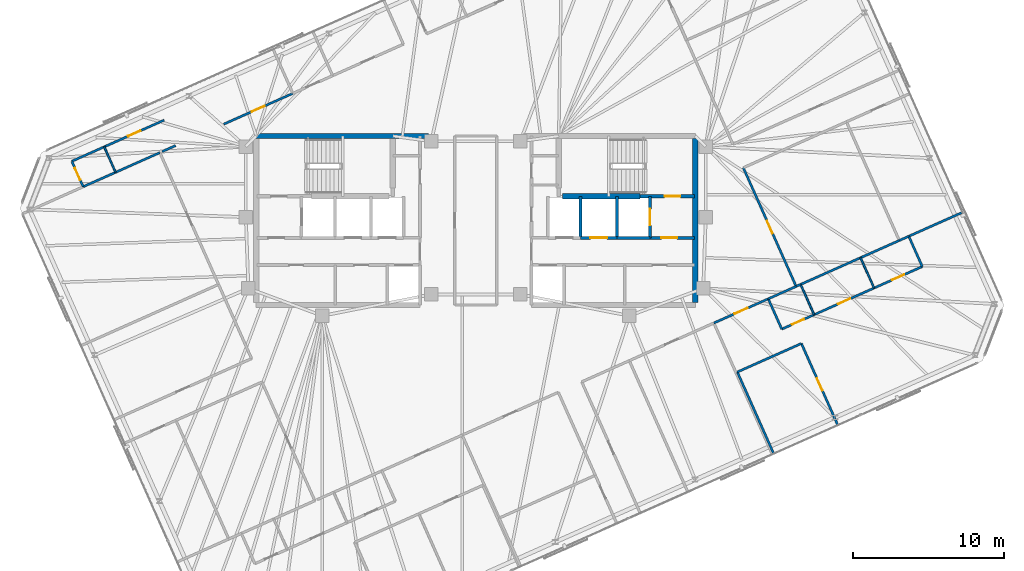
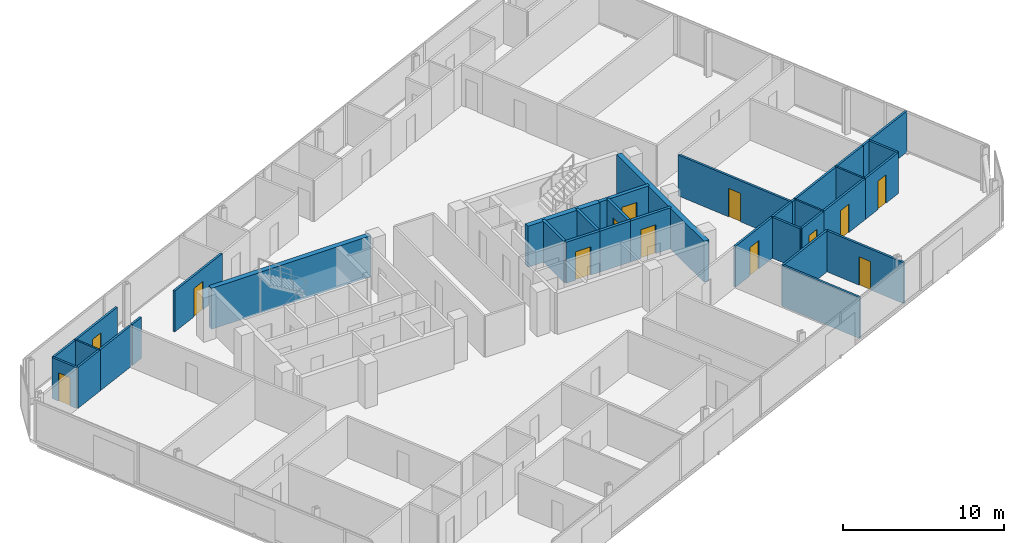
# One storey, part 15 of 18: 36 walls, 13 doors, 13 openings.
"""IFC4 building model written with IfcOpenShell, lengths in metres."""

import ifcopenshell
import ifcopenshell.guid

model = None  # the IFC model being written
_history = None  # IfcOwnerHistory: only IFC2X3 demands one
_inside = {}  # id of a spatial element -> (the spatial element, [elements in it])
_under = {}  # id of a project, library or spatial element -> (it, [spatial elements below it])
_declared = {}  # id of a project -> (the project, [libraries it declares])
_typed = {}  # id of a type object -> (the type object, [elements of that type])
_made_of = {}  # id of a material, layer set ... -> (it, [elements and type objects made of it])


def new_model(schema):
    """Start an empty IFC model of exactly this schema.

    Asked for "IFC4X3", IfcOpenShell would pick the latest addendum, in which some entities
    have other attributes; the version numbers below select the first issue.
    IFC2X3 requires an IfcOwnerHistory on every rooted entity: one is made here for all.
    """
    global model, _history
    if schema == "IFC4X3":
        model = ifcopenshell.file(schema_version=(4, 3, 0, 0))
    else:
        model = ifcopenshell.file(schema=schema)
    _inside.clear()
    _under.clear()
    _declared.clear()
    _typed.clear()
    _made_of.clear()
    _history = None
    if model.schema == "IFC2X3":
        org = make("IfcOrganization", Name="unknown")
        user = make(
            "IfcPersonAndOrganization",
            ThePerson=make("IfcPerson", FamilyName="unknown"),
            TheOrganization=org,
        )
        app = make(
            "IfcApplication",
            ApplicationDeveloper=org,
            Version="unknown",
            ApplicationFullName="unknown",
            ApplicationIdentifier="unknown",
        )
        _history = make(
            "IfcOwnerHistory",
            OwningUser=user,
            OwningApplication=app,
            ChangeAction="ADDED",
            CreationDate=0,
        )
    return model


def make(cls, **values):
    """One entity of the class cls with the attributes given. An attribute that is None is left unset."""
    return model.create_entity(
        cls, **{name: value for name, value in values.items() if value is not None}
    )


def rooted(cls, **values):
    """An entity with a GlobalId (a new one), such as an element, a storey or a relation."""
    return make(cls, GlobalId=ifcopenshell.guid.new(), OwnerHistory=_history, **values)


def si_unit(unit_type, name, prefix=None):
    """IfcSIUnit, for example si_unit("LENGTHUNIT", "METRE", prefix="MILLI")."""
    return make("IfcSIUnit", UnitType=unit_type, Prefix=prefix, Name=name)


def assignment(units):
    """IfcUnitAssignment: the units of a project."""
    return None if units is None else make("IfcUnitAssignment", Units=units)


def point(xyz):
    """IfcCartesianPoint."""
    return None if xyz is None else make("IfcCartesianPoint", Coordinates=xyz)


def direction(xyz):
    """IfcDirection."""
    return None if xyz is None else make("IfcDirection", DirectionRatios=xyz)


def frame(location, z_axis=None, x_axis=None):
    """IfcAxis2Placement3D, a coordinate frame: its origin and axes. An axis left out is left unset."""
    return make(
        "IfcAxis2Placement3D",
        Location=point(location),
        Axis=direction(z_axis),
        RefDirection=direction(x_axis),
    )


def frame_2d(location, x_axis=None):
    """IfcAxis2Placement2D, a coordinate frame in the plane: its origin and x axis."""
    return make(
        "IfcAxis2Placement2D", Location=point(location), RefDirection=direction(x_axis)
    )


def origin():
    """The frame at (0, 0, 0) with its axes left unset."""
    return frame((0.0, 0.0, 0.0))


def place(relative_to, where):
    """IfcLocalPlacement: puts the frame where relative to a parent placement (None: the world)."""
    return make(
        "IfcLocalPlacement", PlacementRelTo=relative_to, RelativePlacement=where
    )


def context(
    kind, dimensions, precision=None, world=None, true_north=None, identifier=None
):
    """IfcGeometricRepresentationContext, for example the 3D "Model" context."""
    return make(
        "IfcGeometricRepresentationContext",
        ContextIdentifier=identifier,
        ContextType=kind,
        CoordinateSpaceDimension=dimensions,
        Precision=precision,
        WorldCoordinateSystem=world,
        TrueNorth=true_north,
    )


def subcontext(parent, identifier, kind, view, scale=None):
    """IfcGeometricRepresentationSubContext, for example "Body" below "Model"."""
    return make(
        "IfcGeometricRepresentationSubContext",
        ContextIdentifier=identifier,
        ContextType=kind,
        ParentContext=parent,
        TargetScale=scale,
        TargetView=view,
    )


def project(units=None, contexts=None):
    """IfcProject with its units and contexts."""
    return rooted(
        "IfcProject",
        Name="project",
        RepresentationContexts=contexts,
        UnitsInContext=assignment(units),
    )


def spatial(cls, under=None, at=None, **own):
    """A site, building, storey or space (cls), placed at a placement, below another one or the project."""
    s = rooted(cls, ObjectPlacement=at, **own)
    if under is not None:
        _under.setdefault(under.id(), (under, []))[1].append(s)
    return s


def profile(cls, at=None, kind="AREA", **sizes):
    """A parametric profile (cls). Its sizes go by their IFC names, for example OverallWidth=200.0."""
    return make(cls, ProfileType=kind, Position=at, **sizes)


def rectangle(**sizes):
    """IfcRectangleProfileDef."""
    return profile("IfcRectangleProfileDef", **sizes)


def extrude(swept, where, along, depth):
    """IfcExtrudedAreaSolid: the profile swept, set in the frame where, extruded along a direction by depth."""
    return make(
        "IfcExtrudedAreaSolid",
        SweptArea=swept,
        Position=where,
        ExtrudedDirection=direction(along),
        Depth=depth,
    )


def shape(context_of_items, identifier, shape_type, items):
    """IfcShapeRepresentation: the items that make up one representation, for example the "Body"."""
    return make(
        "IfcShapeRepresentation",
        ContextOfItems=context_of_items,
        RepresentationIdentifier=identifier,
        RepresentationType=shape_type,
        Items=items,
    )


def material(Name=None, Category=None):
    """IfcMaterial."""
    return make("IfcMaterial", Name=Name, Category=Category)


def layer(
    of_material, thickness, ventilated=None, Name=None, Category=None, Priority=None
):
    """IfcMaterialLayer: one layer of a wall or slab, of a material (None: an air gap)."""
    return make(
        "IfcMaterialLayer",
        Material=of_material,
        LayerThickness=thickness,
        IsVentilated=ventilated,
        Name=Name,
        Category=Category,
        Priority=Priority,
    )


def layer_set(layers, Name=None):
    """IfcMaterialLayerSet."""
    return make("IfcMaterialLayerSet", MaterialLayers=layers, LayerSetName=Name)


def made_of(thing, what):
    """Note that an element or type object is made of a material, layer set ...; save() writes the relation."""
    if what is not None:
        _made_of.setdefault(what.id(), (what, []))[1].append(thing)
    return thing


def type_object(cls, material=None, **own):
    """A type object (cls), such as IfcWallType, which elements share."""
    return made_of(rooted(cls, **own), material)


def element(
    cls,
    number,
    at=None,
    inside=None,
    cuts=None,
    type_object=None,
    material=None,
    context=None,
    identifier="Body",
    shape_type=None,
    held_by="IfcProductDefinitionShape",
    body=None,
    shapes=None,
    **own,
):
    """One element of the class cls, such as IfcWall. Its Tag is "e" and its number.

    at: its placement. inside: the storey or other place that contains it. cuts: it is an
    opening in that element (IfcRelVoidsElement). A single representation is given by context,
    identifier, shape_type and body (its items); several are given by shapes. held_by: the class
    of the entity that holds the representations. save() writes the other relations.
    """
    e = rooted(cls, Tag="e%d" % number, ObjectPlacement=at, **own)
    if body is not None:
        shapes = [shape(context, identifier, shape_type, body)]
    if shapes is not None:
        e.Representation = make(held_by, Representations=shapes)
    if inside is not None:
        _inside.setdefault(inside.id(), (inside, []))[1].append(e)
    if cuts is not None:
        rooted(
            "IfcRelVoidsElement", RelatingBuildingElement=cuts, RelatedOpeningElement=e
        )
    if type_object is not None:
        _typed.setdefault(type_object.id(), (type_object, []))[1].append(e)
    return made_of(e, material)


def fill(opening, filler):
    """IfcRelFillsElement: the door or window that sits in an opening."""
    return rooted(
        "IfcRelFillsElement",
        RelatingOpeningElement=opening,
        RelatedBuildingElement=filler,
    )


def aggregate(whole, parts):
    """IfcRelAggregates: a whole, such as a stair, and the parts it consists of."""
    return rooted("IfcRelAggregates", RelatingObject=whole, RelatedObjects=parts)


def save(model, path):
    """Write the relations noted so far, then the file.

    IfcRelAggregates (storeys below a building ...), IfcRelContainedInSpatialStructure (elements
    in a storey), IfcRelDefinesByType, IfcRelAssociatesMaterial and IfcRelDeclares: one each for
    every whole, place, type object, material and project.
    """
    for whole, parts in _under.values():
        aggregate(whole, parts)
    for where, things in _inside.values():
        rooted(
            "IfcRelContainedInSpatialStructure",
            RelatedElements=things,
            RelatingStructure=where,
        )
    for kind, things in _typed.values():
        rooted("IfcRelDefinesByType", RelatedObjects=things, RelatingType=kind)
    for what, things in _made_of.values():
        rooted("IfcRelAssociatesMaterial", RelatedObjects=things, RelatingMaterial=what)
    for by, libraries in _declared.values():
        rooted("IfcRelDeclares", RelatingContext=by, RelatedDefinitions=libraries)
    model.write(path)


model = new_model("IFC4")

# Units and contexts
model_context = context("Model", 3, precision=1e-05, world=origin(), true_north=direction((0.0, 1.0)))
body_context = subcontext(model_context, "Body", "Model", "MODEL_VIEW")
ifc_project = project(units=[si_unit("LENGTHUNIT", "METRE"), si_unit("AREAUNIT", "SQUARE_METRE"), si_unit("VOLUMEUNIT", "CUBIC_METRE"), si_unit("PLANEANGLEUNIT", "RADIAN"), si_unit("MASSUNIT", "GRAM", prefix="KILO")], contexts=[model_context])

# Site, building, storey
site_placement = place(None, origin())
site = spatial("IfcSite", under=ifc_project, at=site_placement, CompositionType="ELEMENT")
building_placement = place(site_placement, origin())
building = spatial("IfcBuilding", under=site, at=building_placement, Name="Menara Jurai Vektor", CompositionType="ELEMENT")
storey_placement = place(building_placement, frame((0.0, 0.0, 272.25)))
storey = spatial("IfcBuildingStorey", under=building, at=storey_placement, Name="L73", CompositionType="ELEMENT", Elevation=272.25)

# Wall, opening, door
ifc_material_1 = material(Name="Concrete C40/50", Category="concrete")
ifc_layer_1 = layer(ifc_material_1, 0.25)
ifc_layer_set_1 = layer_set([ifc_layer_1], Name="Concrete C40/50")
wall_type_1 = type_object("IfcWallType", Name="INT-WALL-CORE-250", PredefinedType="STANDARD", material=ifc_layer_set_1)
wall_1_placement = place(storey_placement, frame((10.89990234375, 1.60009765625, 0.0), z_axis=(0.0, 0.0, 1.0), x_axis=(1.0, 0.0, 0.0)))
wall_1 = element("IfcWall", 1, at=wall_1_placement, inside=storey, type_object=wall_type_1, Name="Interior Wall IW-250 L73", PredefinedType="STANDARD", context=body_context, shape_type="SweptSolid", body=[
    extrude(rectangle(XDim=3.60009765625, YDim=0.25, at=frame_2d((1.800048828125, 0.0))), origin(), (0.0, 0.0, 1.0), 3.10009765625),
])
opening_1_placement = place(wall_1_placement, frame((1.6201171875, 0.0, 0.0)))
opening_1 = element("IfcOpeningElement", 2, at=opening_1_placement, cuts=wall_1, Name="Opening D-L73-ST2", PredefinedType="OPENING", context=body_context, shape_type="SweptSolid", body=[
    extrude(rectangle(XDim=1.050048828125, YDim=2.14990234375, at=frame_2d((0.52490234375, 1.074951171875))), frame((0.0, 0.135009765625, 0.0), z_axis=(0.0, -1.0, 0.0), x_axis=(1.0, 0.0, 0.0)), (0.0, 0.0, 1.0), 0.27001953125),
])
ifc_material_2 = material(Name="Fire-Rated Steel Door", Category="steel")
door_type_1 = type_object("IfcDoorType", Name="DR-STAIR-1050", OperationType="NOTDEFINED", PredefinedType="DOOR", material=ifc_material_2)
door_1_placement = place(opening_1_placement, origin())
door_1 = element("IfcDoor", 3, at=door_1_placement, inside=storey, type_object=door_type_1, Name="Exit Stair ST2 Door L73", OperationType="SINGLE_SWING_LEFT", OverallHeight=2.14990234375, OverallWidth=1.050048828125, PredefinedType="DOOR", context=body_context, shape_type="SweptSolid", body=[
    extrude(rectangle(XDim=1.050048828125, YDim=2.14990234375, at=frame_2d((0.52490234375, 1.074951171875))), frame((0.0, 0.02490234375, 0.0), z_axis=(0.0, -1.0, 0.0), x_axis=(1.0, 0.0, 0.0)), (0.0, 0.0, 1.0), 0.050048828125),
])
fill(opening_1, door_1)

wall_2_placement = place(storey_placement, frame((11.550048828125, -1.14990234375, 0.0), z_axis=(0.0, 0.0, 1.0), x_axis=(0.0, 1.0, 0.0)))
wall_2 = element("IfcWall", 4, at=wall_2_placement, inside=storey, type_object=wall_type_1, Name="Interior Wall IW-250 L73", PredefinedType="STANDARD", context=body_context, shape_type="SweptSolid", body=[
    extrude(rectangle(XDim=2.75, YDim=0.199951171875, at=frame_2d((1.375, 0.0))), origin(), (0.0, 0.0, 1.0), 3.10009765625),
])
opening_2_placement = place(wall_2_placement, frame((0.824951171875, 0.0, 0.0)))
opening_2 = element("IfcOpeningElement", 5, at=opening_2_placement, cuts=wall_2, Name="Opening LD-L73-FL2", PredefinedType="OPENING", context=body_context, shape_type="SweptSolid", body=[
    extrude(rectangle(XDim=1.10009765625, YDim=2.14990234375, at=frame_2d((0.550048828125, 1.074951171875))), frame((0.0, 0.10986328125, 0.0), z_axis=(0.0, -1.0, 0.0), x_axis=(1.0, 0.0, 0.0)), (0.0, 0.0, 1.0), 0.219970703125),
])
ifc_material_3 = material(Name="Stainless Steel Sliding Lift Landing Door", Category="steel")
door_type_2 = type_object("IfcDoorType", Name="DR-LIFT-FIRE-1100", OperationType="NOTDEFINED", PredefinedType="DOOR", material=ifc_material_3)
door_2_placement = place(opening_2_placement, origin())
door_2 = element("IfcDoor", 6, at=door_2_placement, inside=storey, type_object=door_type_2, Name="Lift Landing Door FL2 L73", OperationType="SLIDING_TO_RIGHT", OverallHeight=2.14990234375, OverallWidth=1.10009765625, PredefinedType="DOOR", context=body_context, shape_type="SweptSolid", body=[
    extrude(rectangle(XDim=1.10009765625, YDim=2.14990234375, at=frame_2d((0.550048828125, 1.074951171875))), frame((0.0, 0.02490234375, 0.0), z_axis=(0.0, -1.0, 0.0), x_axis=(1.0, 0.0, 0.0)), (0.0, 0.0, 1.0), 0.050048828125),
])
fill(opening_2, door_2)

# Wall
wall_3_placement = place(storey_placement, frame((9.35009765625, -1.14990234375, 0.0), z_axis=(0.0, 0.0, 1.0), x_axis=(0.0, 1.0, 0.0)))
element("IfcWall", 7, at=wall_3_placement, inside=storey, type_object=wall_type_1, Name="Interior Wall IW-250 L73", PredefinedType="STANDARD", context=body_context, shape_type="SweptSolid", body=[
    extrude(rectangle(XDim=2.75, YDim=0.199951171875, at=frame_2d((1.375, 0.0))), origin(), (0.0, 0.0, 1.0), 3.10009765625),
])

# Wall, opening, door
wall_4_placement = place(storey_placement, frame((11.550048828125, -1.14990234375, 0.0), z_axis=(0.0, 0.0, 1.0), x_axis=(1.0, 0.0, 0.0)))
wall_4 = element("IfcWall", 8, at=wall_4_placement, inside=storey, type_object=wall_type_1, Name="Interior Wall IW-250 L73", PredefinedType="STANDARD", context=body_context, shape_type="SweptSolid", body=[
    extrude(rectangle(XDim=2.949951171875, YDim=0.199951171875, at=frame_2d((1.47509765625, 0.0))), origin(), (0.0, 0.0, 1.0), 3.10009765625),
])
opening_3_placement = place(wall_4_placement, frame((0.75, 0.0, 0.0)))
opening_3 = element("IfcOpeningElement", 9, at=opening_3_placement, cuts=wall_4, Name="Opening D-L73-FFE", PredefinedType="OPENING", context=body_context, shape_type="SweptSolid", body=[
    extrude(rectangle(XDim=1.050048828125, YDim=2.179931640625, at=frame_2d((0.52490234375, 1.08984375))), frame((0.0, 0.10986328125, 0.0), z_axis=(0.0, -1.0, 0.0), x_axis=(1.0, 0.0, 0.0)), (0.0, 0.0, 1.0), 0.219970703125),
])
ifc_material_4 = material(Name="Fire-Rated Timber Door", Category="wood")
door_type_3 = type_object("IfcDoorType", Name="DR-LOBBY-1050", OperationType="NOTDEFINED", PredefinedType="DOOR", material=ifc_material_4)
door_3_placement = place(opening_3_placement, origin())
door_3 = element("IfcDoor", 10, at=door_3_placement, inside=storey, type_object=door_type_3, Name="Fire Lift Lobby Door E L73", OperationType="SINGLE_SWING_LEFT", OverallHeight=2.179931640625, OverallWidth=1.050048828125, PredefinedType="DOOR", context=body_context, shape_type="SweptSolid", body=[
    extrude(rectangle(XDim=1.050048828125, YDim=2.179931640625, at=frame_2d((0.52490234375, 1.08984375))), frame((0.0, 0.02490234375, 0.0), z_axis=(0.0, -1.0, 0.0), x_axis=(1.0, 0.0, 0.0)), (0.0, 0.0, 1.0), 0.050048828125),
])
fill(opening_3, door_3)

# Wall
wall_5_placement = place(storey_placement, frame((9.35009765625, -1.14990234375, 0.0), z_axis=(0.0, 0.0, 1.0), x_axis=(1.0, 0.0, 0.0)))
element("IfcWall", 11, at=wall_5_placement, inside=storey, type_object=wall_type_1, Name="Interior Wall IW-250 L73", PredefinedType="STANDARD", context=body_context, shape_type="SweptSolid", body=[
    extrude(rectangle(XDim=2.199951171875, YDim=0.199951171875, at=frame_2d((1.10009765625, 0.0))), origin(), (0.0, 0.0, 1.0), 3.10009765625),
])

# Wall, opening, door
ifc_material_5 = material(Name="Gypsum Fireboard Partition", Category="gypsum")
ifc_layer_2 = layer(ifc_material_5, 0.14990234375)
ifc_layer_set_2 = layer_set([ifc_layer_2], Name="Gypsum Fireboard Partition")
wall_type_2 = type_object("IfcWallType", Name="INT-WALL-CORR-150", PredefinedType="PARTITIONING", material=ifc_layer_set_2)
wall_6_placement = place(storey_placement, frame((-16.715576171875, 6.38671875, 0.0), z_axis=(0.0, 0.0, 1.0), x_axis=(0.913548379071, 0.406730081378, 0.0)))
wall_6 = element("IfcWall", 12, at=wall_6_placement, inside=storey, type_object=wall_type_2, Name="Interior Wall IW-150 L73", PredefinedType="PARTITIONING", context=body_context, shape_type="SweptSolid", body=[
    extrude(rectangle(XDim=5.01513671875, YDim=0.14990234375, at=frame_2d((2.507568359375, 0.0))), origin(), (0.0, 0.0, 1.0), 3.10009765625),
])
opening_4_placement = place(wall_6_placement, frame((2.032470703125, 0.0, 0.0)))
opening_4 = element("IfcOpeningElement", 13, at=opening_4_placement, cuts=wall_6, Name="Opening D73-09", PredefinedType="OPENING", context=body_context, shape_type="SweptSolid", body=[
    extrude(rectangle(XDim=0.949951171875, YDim=2.14990234375, at=frame_2d((0.47509765625, 1.074951171875))), frame((0.0, 0.0849609375, 0.0), z_axis=(0.0, -1.0, 0.0), x_axis=(1.0, 0.0, 0.0)), (0.0, 0.0, 1.0), 0.169921875),
])
ifc_material_6 = material(Name="Solid Core Timber Fire Door", Category="wood")
door_type_4 = type_object("IfcDoorType", Name="DR-ENTRY-950", OperationType="NOTDEFINED", PredefinedType="DOOR", material=ifc_material_6)
door_4_placement = place(opening_4_placement, origin())
door_4 = element("IfcDoor", 14, at=door_4_placement, inside=storey, type_object=door_type_4, Name="Interior Door D73-09", OperationType="SINGLE_SWING_RIGHT", OverallHeight=2.14990234375, OverallWidth=0.949951171875, PredefinedType="DOOR", context=body_context, shape_type="SweptSolid", body=[
    extrude(rectangle(XDim=0.949951171875, YDim=2.14990234375, at=frame_2d((0.47509765625, 1.074951171875))), frame((0.0, 0.02490234375, 0.0), z_axis=(0.0, -1.0, 0.0), x_axis=(1.0, 0.0, 0.0)), (0.0, 0.0, 1.0), 0.050048828125),
])
fill(opening_4, door_4)

# Wall
wall_7_placement = place(storey_placement, frame((-20.7998046875, 4.568115234375, 0.0), z_axis=(0.0, 0.0, 1.0), x_axis=(0.91350021443, 0.406838245788, 0.0)))
element("IfcWall", 15, at=wall_7_placement, inside=storey, type_object=wall_type_2, Name="Interior Wall IW-150 L73", PredefinedType="PARTITIONING", context=body_context, shape_type="SweptSolid", body=[
    extrude(rectangle(XDim=0.970947265625, YDim=0.14990234375, at=frame_2d((0.4853515625, 0.0))), origin(), (0.0, 0.0, 1.0), 3.10009765625),
])

# Wall, opening, door
wall_8_placement = place(storey_placement, frame((15.787109375, -6.80029296875, 0.0), z_axis=(0.0, 0.0, 1.0), x_axis=(0.913558844356, 0.406706574693, 0.0)))
wall_8 = element("IfcWall", 16, at=wall_8_placement, inside=storey, type_object=wall_type_2, Name="Interior Wall IW-150 L73", PredefinedType="PARTITIONING", context=body_context, shape_type="SweptSolid", body=[
    extrude(rectangle(XDim=3.94677734375, YDim=0.14990234375, at=frame_2d((1.973388671875, 0.0))), origin(), (0.0, 0.0, 1.0), 3.10009765625),
])
opening_5_placement = place(wall_8_placement, frame((1.49853515625, 0.0, 0.0)))
opening_5 = element("IfcOpeningElement", 17, at=opening_5_placement, cuts=wall_8, Name="Opening D73-21", PredefinedType="OPENING", context=body_context, shape_type="SweptSolid", body=[
    extrude(rectangle(XDim=0.949951171875, YDim=2.14990234375, at=frame_2d((0.47509765625, 1.074951171875))), frame((0.0, 0.0849609375, 0.0), z_axis=(0.0, -1.0, 0.0), x_axis=(1.0, 0.0, 0.0)), (0.0, 0.0, 1.0), 0.169921875),
])
door_5_placement = place(opening_5_placement, origin())
door_5 = element("IfcDoor", 18, at=door_5_placement, inside=storey, type_object=door_type_4, Name="Interior Door D73-21", OperationType="SINGLE_SWING_RIGHT", OverallHeight=2.14990234375, OverallWidth=0.949951171875, PredefinedType="DOOR", context=body_context, shape_type="SweptSolid", body=[
    extrude(rectangle(XDim=0.949951171875, YDim=2.14990234375, at=frame_2d((0.47509765625, 1.074951171875))), frame((0.0, 0.02490234375, 0.0), z_axis=(0.0, -1.0, 0.0), x_axis=(1.0, 0.0, 0.0)), (0.0, 0.0, 1.0), 0.050048828125),
])
fill(opening_5, door_5)

# Wall
wall_9_placement = place(storey_placement, frame((19.392822265625, -5.195068359375, 0.0), z_axis=(0.0, 0.0, 1.0), x_axis=(0.91354290336, 0.406742380039, 0.0)))
element("IfcWall", 19, at=wall_9_placement, inside=storey, type_object=wall_type_2, Name="Interior Wall IW-150 L73", PredefinedType="PARTITIONING", context=body_context, shape_type="SweptSolid", body=[
    extrude(rectangle(XDim=2.025146484375, YDim=0.14990234375, at=frame_2d((1.0126953125, 0.0))), origin(), (0.0, 0.0, 1.0), 3.10009765625),
])

# Wall, opening, door
wall_10_placement = place(storey_placement, frame((21.242919921875, -4.371337890625, 0.0), z_axis=(0.0, 0.0, 1.0), x_axis=(-0.406751025101, 0.913539054217, 0.0)))
wall_10 = element("IfcWall", 20, at=wall_10_placement, inside=storey, type_object=wall_type_2, Name="Interior Wall IW-150 L73", PredefinedType="PARTITIONING", context=body_context, shape_type="SweptSolid", body=[
    extrude(rectangle(XDim=8.614990234375, YDim=0.14990234375, at=frame_2d((4.3076171875, 0.0))), origin(), (0.0, 0.0, 1.0), 3.10009765625),
])
opening_6_placement = place(wall_10_placement, frame((3.847412109375, 0.0, 0.0)))
opening_6 = element("IfcOpeningElement", 21, at=opening_6_placement, cuts=wall_10, Name="Opening D73-38", PredefinedType="OPENING", context=body_context, shape_type="SweptSolid", body=[
    extrude(rectangle(XDim=0.919921875, YDim=2.14990234375, at=frame_2d((0.4599609375, 1.074951171875))), frame((0.0, 0.0849609375, 0.0), z_axis=(0.0, -1.0, 0.0), x_axis=(1.0, 0.0, 0.0)), (0.0, 0.0, 1.0), 0.169921875),
])
door_6_placement = place(opening_6_placement, origin())
door_6 = element("IfcDoor", 22, at=door_6_placement, inside=storey, type_object=door_type_4, Name="Interior Door D73-38", OperationType="SINGLE_SWING_LEFT", OverallHeight=2.14990234375, OverallWidth=0.919921875, PredefinedType="DOOR", context=body_context, shape_type="SweptSolid", body=[
    extrude(rectangle(XDim=0.919921875, YDim=2.14990234375, at=frame_2d((0.4599609375, 1.074951171875))), frame((0.0, 0.02490234375, 0.0), z_axis=(0.0, -1.0, 0.0), x_axis=(1.0, 0.0, 0.0)), (0.0, 0.0, 1.0), 0.050048828125),
])
fill(opening_6, door_6)

wall_11_placement = place(storey_placement, frame((-26.03369140625, 2.238037109375, 0.0), z_axis=(0.0, 0.0, 1.0), x_axis=(-0.406750635596, 0.913539227643, 0.0)))
wall_11 = element("IfcWall", 23, at=wall_11_placement, inside=storey, type_object=wall_type_2, Name="Interior Wall IW-150 L73", PredefinedType="PARTITIONING", context=body_context, shape_type="SweptSolid", body=[
    extrude(rectangle(XDim=1.849853515625, YDim=0.14990234375, at=frame_2d((0.9248046875, 0.0))), origin(), (0.0, 0.0, 1.0), 3.10009765625),
])
opening_7_placement = place(wall_11_placement, frame((0.485107421875, 0.0, 0.0)))
opening_7 = element("IfcOpeningElement", 24, at=opening_7_placement, cuts=wall_11, Name="Opening D73-10", PredefinedType="OPENING", context=body_context, shape_type="SweptSolid", body=[
    extrude(rectangle(XDim=0.8798828125, YDim=2.14990234375, at=frame_2d((0.43994140625, 1.074951171875))), frame((0.0, 0.0849609375, 0.0), z_axis=(0.0, -1.0, 0.0), x_axis=(1.0, 0.0, 0.0)), (0.0, 0.0, 1.0), 0.169921875),
])
ifc_material_7 = material(Name="Moisture-Resistant Timber Door", Category="wood")
door_type_5 = type_object("IfcDoorType", Name="DR-BATH-880", OperationType="NOTDEFINED", PredefinedType="DOOR", material=ifc_material_7)
door_7_placement = place(opening_7_placement, origin())
door_7 = element("IfcDoor", 25, at=door_7_placement, inside=storey, type_object=door_type_5, Name="Interior Door D73-10", OperationType="SINGLE_SWING_LEFT", OverallHeight=2.14990234375, OverallWidth=0.8798828125, PredefinedType="DOOR", context=body_context, shape_type="SweptSolid", body=[
    extrude(rectangle(XDim=0.8798828125, YDim=2.14990234375, at=frame_2d((0.43994140625, 1.074951171875))), frame((0.0, 0.02490234375, 0.0), z_axis=(0.0, -1.0, 0.0), x_axis=(1.0, 0.0, 0.0)), (0.0, 0.0, 1.0), 0.050048828125),
])
fill(opening_7, door_7)

# Wall
wall_12_placement = place(storey_placement, frame((-26.7861328125, 3.927978515625, 0.0), z_axis=(0.0, 0.0, 1.0), x_axis=(0.913541436194, 0.406745675276, 0.0)))
element("IfcWall", 26, at=wall_12_placement, inside=storey, type_object=wall_type_2, Name="Interior Wall IW-150 L73", PredefinedType="PARTITIONING", context=body_context, shape_type="SweptSolid", body=[
    extrude(rectangle(XDim=2.349853515625, YDim=0.14990234375, at=frame_2d((1.1748046875, 0.0))), origin(), (0.0, 0.0, 1.0), 3.10009765625),
])

# Wall, opening, door
wall_13_placement = place(storey_placement, frame((-24.639404296875, 4.8837890625, 0.0), z_axis=(0.0, 0.0, 1.0), x_axis=(0.913533624044, 0.406763220732, 0.0)))
wall_13 = element("IfcWall", 27, at=wall_13_placement, inside=storey, type_object=wall_type_2, Name="Interior Wall IW-150 L73", PredefinedType="PARTITIONING", context=body_context, shape_type="SweptSolid", body=[
    extrude(rectangle(XDim=4.350341796875, YDim=0.14990234375, at=frame_2d((2.17529296875, 0.0))), origin(), (0.0, 0.0, 1.0), 3.10009765625),
])
opening_8_placement = place(wall_13_placement, frame((1.72509765625, 0.0, 0.0)))
opening_8 = element("IfcOpeningElement", 28, at=opening_8_placement, cuts=wall_13, Name="Opening D73-11", PredefinedType="OPENING", context=body_context, shape_type="SweptSolid", body=[
    extrude(rectangle(XDim=0.89990234375, YDim=2.14990234375, at=frame_2d((0.449951171875, 1.074951171875))), frame((0.0, 0.0849609375, 0.0), z_axis=(0.0, -1.0, 0.0), x_axis=(1.0, 0.0, 0.0)), (0.0, 0.0, 1.0), 0.169921875),
])
ifc_material_8 = material(Name="Acoustic Timber Interior Door", Category="wood")
door_type_6 = type_object("IfcDoorType", Name="DR-ROOM-900", OperationType="NOTDEFINED", PredefinedType="DOOR", material=ifc_material_8)
door_8_placement = place(opening_8_placement, origin())
door_8 = element("IfcDoor", 29, at=door_8_placement, inside=storey, type_object=door_type_6, Name="Interior Door D73-11", OperationType="SINGLE_SWING_RIGHT", OverallHeight=2.14990234375, OverallWidth=0.89990234375, PredefinedType="DOOR", context=body_context, shape_type="SweptSolid", body=[
    extrude(rectangle(XDim=0.89990234375, YDim=2.14990234375, at=frame_2d((0.449951171875, 1.074951171875))), frame((0.0, 0.02490234375, 0.0), z_axis=(0.0, -1.0, 0.0), x_axis=(1.0, 0.0, 0.0)), (0.0, 0.0, 1.0), 0.050048828125),
])
fill(opening_8, door_8)

# Walls
wall_14_placement = place(storey_placement, frame((-26.03369140625, 2.238037109375, 0.0), z_axis=(0.0, 0.0, 1.0), x_axis=(0.913558622212, 0.406707073682, 0.0)))
element("IfcWall", 30, at=wall_14_placement, inside=storey, type_object=wall_type_2, Name="Interior Wall IW-150 L73", PredefinedType="PARTITIONING", context=body_context, shape_type="SweptSolid", body=[
    extrude(rectangle(XDim=2.35009765625, YDim=0.14990234375, at=frame_2d((1.175048828125, 0.0))), origin(), (0.0, 0.0, 1.0), 3.10009765625),
])
wall_15_placement = place(storey_placement, frame((-23.88671875, 3.19384765625, 0.0), z_axis=(0.0, 0.0, 1.0), x_axis=(0.913560683434, 0.406702443665, 0.0)))
element("IfcWall", 31, at=wall_15_placement, inside=storey, type_object=wall_type_2, Name="Interior Wall IW-150 L73", PredefinedType="PARTITIONING", context=body_context, shape_type="SweptSolid", body=[
    extrude(rectangle(XDim=3.212646484375, YDim=0.14990234375, at=frame_2d((1.6064453125, 0.0))), origin(), (0.0, 0.0, 1.0), 3.10009765625),
])
wall_16_placement = place(storey_placement, frame((20.287841796875, -7.204833984375, 0.0), z_axis=(0.0, 0.0, 1.0), x_axis=(-0.406817905151, 0.913509273105, 0.0)))
element("IfcWall", 32, at=wall_16_placement, inside=storey, type_object=wall_type_2, Name="Interior Wall IW-150 L73", PredefinedType="PARTITIONING", context=body_context, shape_type="SweptSolid", body=[
    extrude(rectangle(XDim=2.199951171875, YDim=0.14990234375, at=frame_2d((1.10009765625, 0.0))), origin(), (0.0, 0.0, 1.0), 3.10009765625),
])

# Wall, opening, door
wall_17_placement = place(storey_placement, frame((20.287841796875, -7.204833984375, 0.0), z_axis=(0.0, 0.0, 1.0), x_axis=(0.913541436194, 0.406745675276, 0.0)))
wall_17 = element("IfcWall", 33, at=wall_17_placement, inside=storey, type_object=wall_type_2, Name="Interior Wall IW-150 L73", PredefinedType="PARTITIONING", context=body_context, shape_type="SweptSolid", body=[
    extrude(rectangle(XDim=2.349853515625, YDim=0.14990234375, at=frame_2d((1.1748046875, 0.0))), origin(), (0.0, 0.0, 1.0), 3.10009765625),
])
opening_9_placement = place(wall_17_placement, frame((0.735107421875, 0.0, 0.0)))
opening_9 = element("IfcOpeningElement", 34, at=opening_9_placement, cuts=wall_17, Name="Opening D73-22", PredefinedType="OPENING", context=body_context, shape_type="SweptSolid", body=[
    extrude(rectangle(XDim=0.8798828125, YDim=2.14990234375, at=frame_2d((0.43994140625, 1.074951171875))), frame((0.0, 0.0849609375, 0.0), z_axis=(0.0, -1.0, 0.0), x_axis=(1.0, 0.0, 0.0)), (0.0, 0.0, 1.0), 0.169921875),
])
door_9_placement = place(opening_9_placement, origin())
door_9 = element("IfcDoor", 35, at=door_9_placement, inside=storey, type_object=door_type_5, Name="Interior Door D73-22", OperationType="SINGLE_SWING_LEFT", OverallHeight=2.14990234375, OverallWidth=0.8798828125, PredefinedType="DOOR", context=body_context, shape_type="SweptSolid", body=[
    extrude(rectangle(XDim=0.8798828125, YDim=2.14990234375, at=frame_2d((0.43994140625, 1.074951171875))), frame((0.0, 0.02490234375, 0.0), z_axis=(0.0, -1.0, 0.0), x_axis=(1.0, 0.0, 0.0)), (0.0, 0.0, 1.0), 0.050048828125),
])
fill(opening_9, door_9)

wall_18_placement = place(storey_placement, frame((22.4345703125, -6.2490234375, 0.0), z_axis=(0.0, 0.0, 1.0), x_axis=(0.913545193015, 0.406737237438, 0.0)))
wall_18 = element("IfcWall", 36, at=wall_18_placement, inside=storey, type_object=wall_type_2, Name="Interior Wall IW-150 L73", PredefinedType="PARTITIONING", context=body_context, shape_type="SweptSolid", body=[
    extrude(rectangle(XDim=4.349853515625, YDim=0.14990234375, at=frame_2d((2.1748046875, 0.0))), origin(), (0.0, 0.0, 1.0), 3.10009765625),
])
opening_10_placement = place(wall_18_placement, frame((1.72509765625, 0.0, 0.0)))
opening_10 = element("IfcOpeningElement", 37, at=opening_10_placement, cuts=wall_18, Name="Opening D73-23", PredefinedType="OPENING", context=body_context, shape_type="SweptSolid", body=[
    extrude(rectangle(XDim=0.89990234375, YDim=2.14990234375, at=frame_2d((0.449951171875, 1.074951171875))), frame((0.0, 0.0849609375, 0.0), z_axis=(0.0, -1.0, 0.0), x_axis=(1.0, 0.0, 0.0)), (0.0, 0.0, 1.0), 0.169921875),
])
door_10_placement = place(opening_10_placement, origin())
door_10 = element("IfcDoor", 38, at=door_10_placement, inside=storey, type_object=door_type_6, Name="Interior Door D73-23", OperationType="SINGLE_SWING_RIGHT", OverallHeight=2.14990234375, OverallWidth=0.89990234375, PredefinedType="DOOR", context=body_context, shape_type="SweptSolid", body=[
    extrude(rectangle(XDim=0.89990234375, YDim=2.14990234375, at=frame_2d((0.449951171875, 1.074951171875))), frame((0.0, 0.02490234375, 0.0), z_axis=(0.0, -1.0, 0.0), x_axis=(1.0, 0.0, 0.0)), (0.0, 0.0, 1.0), 0.050048828125),
])
fill(opening_10, door_10)

wall_19_placement = place(storey_placement, frame((26.408447265625, -4.479736328125, 0.0), z_axis=(0.0, 0.0, 1.0), x_axis=(0.913549606868, 0.406727323635, 0.0)))
wall_19 = element("IfcWall", 39, at=wall_19_placement, inside=storey, type_object=wall_type_2, Name="Interior Wall IW-150 L73", PredefinedType="PARTITIONING", context=body_context, shape_type="SweptSolid", body=[
    extrude(rectangle(XDim=3.5, YDim=0.14990234375, at=frame_2d((1.75, 0.0))), origin(), (0.0, 0.0, 1.0), 3.10009765625),
])
opening_11_placement = place(wall_19_placement, frame((1.31005859375, 0.0, 0.0)))
opening_11 = element("IfcOpeningElement", 40, at=opening_11_placement, cuts=wall_19, Name="Opening D73-24", PredefinedType="OPENING", context=body_context, shape_type="SweptSolid", body=[
    extrude(rectangle(XDim=0.8798828125, YDim=2.14990234375, at=frame_2d((0.43994140625, 1.074951171875))), frame((0.0, 0.0849609375, 0.0), z_axis=(0.0, -1.0, 0.0), x_axis=(1.0, 0.0, 0.0)), (0.0, 0.0, 1.0), 0.169921875),
])
door_11_placement = place(opening_11_placement, origin())
door_11 = element("IfcDoor", 41, at=door_11_placement, inside=storey, type_object=door_type_5, Name="Interior Door D73-24", OperationType="SINGLE_SWING_LEFT", OverallHeight=2.14990234375, OverallWidth=0.8798828125, PredefinedType="DOOR", context=body_context, shape_type="SweptSolid", body=[
    extrude(rectangle(XDim=0.8798828125, YDim=2.14990234375, at=frame_2d((0.43994140625, 1.074951171875))), frame((0.0, 0.02490234375, 0.0), z_axis=(0.0, -1.0, 0.0), x_axis=(1.0, 0.0, 0.0)), (0.0, 0.0, 1.0), 0.050048828125),
])
fill(opening_11, door_11)

# Walls
wall_20_placement = place(storey_placement, frame((29.60595703125, -3.05615234375, 0.0), z_axis=(0.0, 0.0, 1.0), x_axis=(-0.406725294076, 0.913550510459, 0.0)))
element("IfcWall", 42, at=wall_20_placement, inside=storey, type_object=wall_type_2, Name="Interior Wall IW-150 L73", PredefinedType="PARTITIONING", context=body_context, shape_type="SweptSolid", body=[
    extrude(rectangle(XDim=2.199951171875, YDim=0.14990234375, at=frame_2d((1.10009765625, 0.0))), origin(), (0.0, 0.0, 1.0), 3.10009765625),
])
wall_21_placement = place(storey_placement, frame((19.7568359375, -15.470458984375, 0.0), z_axis=(0.0, 0.0, 1.0), x_axis=(-0.406749048544, 0.913539934271, 0.0)))
element("IfcWall", 43, at=wall_21_placement, inside=storey, type_object=wall_type_2, Name="Interior Wall IW-150 L73", PredefinedType="PARTITIONING", context=body_context, shape_type="SweptSolid", body=[
    extrude(rectangle(XDim=5.93505859375, YDim=0.14990234375, at=frame_2d((2.967529296875, 0.0))), origin(), (0.0, 0.0, 1.0), 3.10009765625),
])
wall_22_placement = place(storey_placement, frame((17.3427734375, -10.048583984375, 0.0), z_axis=(0.0, 0.0, 1.0), x_axis=(0.913525541207, 0.406781373176, 0.0)))
element("IfcWall", 44, at=wall_22_placement, inside=storey, type_object=wall_type_2, Name="Interior Wall IW-150 L73", PredefinedType="PARTITIONING", context=body_context, shape_type="SweptSolid", body=[
    extrude(rectangle(XDim=4.650146484375, YDim=0.14990234375, at=frame_2d((2.3251953125, 0.0))), origin(), (0.0, 0.0, 1.0), 3.10009765625),
])

# Wall, opening, door
wall_23_placement = place(storey_placement, frame((24.0048828125, -13.5791015625, 0.0), z_axis=(0.0, 0.0, 1.0), x_axis=(-0.406733763825, 0.913546739562, 0.0)))
wall_23 = element("IfcWall", 45, at=wall_23_placement, inside=storey, type_object=wall_type_2, Name="Interior Wall IW-150 L73", PredefinedType="PARTITIONING", context=body_context, shape_type="SweptSolid", body=[
    extrude(rectangle(XDim=5.935302734375, YDim=0.14990234375, at=frame_2d((2.9677734375, 0.0))), origin(), (0.0, 0.0, 1.0), 3.10009765625),
])
opening_12_placement = place(wall_23_placement, frame((2.517578125, 0.0, 0.0)))
opening_12 = element("IfcOpeningElement", 46, at=opening_12_placement, cuts=wall_23, Name="Opening D73-25", PredefinedType="OPENING", context=body_context, shape_type="SweptSolid", body=[
    extrude(rectangle(XDim=0.89990234375, YDim=2.14990234375, at=frame_2d((0.449951171875, 1.074951171875))), frame((0.0, 0.0849609375, 0.0), z_axis=(0.0, -1.0, 0.0), x_axis=(1.0, 0.0, 0.0)), (0.0, 0.0, 1.0), 0.169921875),
])
door_12_placement = place(opening_12_placement, origin())
door_12 = element("IfcDoor", 47, at=door_12_placement, inside=storey, type_object=door_type_6, Name="Interior Door D73-25", OperationType="SINGLE_SWING_RIGHT", OverallHeight=2.14990234375, OverallWidth=0.89990234375, PredefinedType="DOOR", context=body_context, shape_type="SweptSolid", body=[
    extrude(rectangle(XDim=0.89990234375, YDim=2.14990234375, at=frame_2d((0.449951171875, 1.074951171875))), frame((0.0, 0.02490234375, 0.0), z_axis=(0.0, -1.0, 0.0), x_axis=(1.0, 0.0, 0.0)), (0.0, 0.0, 1.0), 0.050048828125),
])
fill(opening_12, door_12)

# Walls
wall_24_placement = place(storey_placement, frame((28.711181640625, -1.04638671875, 0.0), z_axis=(0.0, 0.0, 1.0), x_axis=(0.913523164096, 0.406786711508, 0.0)))
element("IfcWall", 48, at=wall_24_placement, inside=storey, type_object=wall_type_2, Name="Interior Wall IW-150 L73", PredefinedType="PARTITIONING", context=body_context, shape_type="SweptSolid", body=[
    extrude(rectangle(XDim=3.9130859375, YDim=0.14990234375, at=frame_2d((1.95654296875, 0.0))), origin(), (0.0, 0.0, 1.0), 3.10009765625),
])
wall_25_placement = place(storey_placement, frame((21.242919921875, -4.371337890625, 0.0), z_axis=(0.0, 0.0, 1.0), x_axis=(0.913656562077, 0.406487006648, 0.0)))
element("IfcWall", 49, at=wall_25_placement, inside=storey, type_object=wall_type_2, Name="Interior Wall IW-150 L73", PredefinedType="PARTITIONING", context=body_context, shape_type="SweptSolid", body=[
    extrude(rectangle(XDim=0.324951171875, YDim=0.14990234375, at=frame_2d((0.16259765625, 0.0))), origin(), (0.0, 0.0, 1.0), 3.10009765625),
])
wall_26_placement = place(storey_placement, frame((21.539794921875, -4.2392578125, 0.0), z_axis=(0.0, 0.0, 1.0), x_axis=(0.913545193015, 0.406737237438, 0.0)))
element("IfcWall", 50, at=wall_26_placement, inside=storey, type_object=wall_type_2, Name="Interior Wall IW-150 L73", PredefinedType="PARTITIONING", context=body_context, shape_type="SweptSolid", body=[
    extrude(rectangle(XDim=4.349853515625, YDim=0.14990234375, at=frame_2d((2.1748046875, 0.0))), origin(), (0.0, 0.0, 1.0), 3.10009765625),
])
wall_27_placement = place(storey_placement, frame((25.513671875, -2.469970703125, 0.0), z_axis=(0.0, 0.0, 1.0), x_axis=(0.913531886701, 0.406767122542, 0.0)))
element("IfcWall", 51, at=wall_27_placement, inside=storey, type_object=wall_type_2, Name="Interior Wall IW-150 L73", PredefinedType="PARTITIONING", context=body_context, shape_type="SweptSolid", body=[
    extrude(rectangle(XDim=2.81005859375, YDim=0.14990234375, at=frame_2d((1.405029296875, 0.0))), origin(), (0.0, 0.0, 1.0), 3.10009765625),
])
wall_28_placement = place(storey_placement, frame((28.080810546875, -1.326904296875, 0.0), z_axis=(0.0, 0.0, 1.0), x_axis=(0.9136217601, 0.406565221671, 0.0)))
element("IfcWall", 52, at=wall_28_placement, inside=storey, type_object=wall_type_2, Name="Interior Wall IW-150 L73", PredefinedType="PARTITIONING", context=body_context, shape_type="SweptSolid", body=[
    extrude(rectangle(XDim=0.68994140625, YDim=0.14990234375, at=frame_2d((0.344970703125, 0.0))), origin(), (0.0, 0.0, 1.0), 3.10009765625),
])
ifc_material_9 = material(Name="Gypsum Acoustic Stud Partition", Category="gypsum")
ifc_layer_3 = layer(ifc_material_9, 0.1201171875)
ifc_layer_set_3 = layer_set([ifc_layer_3], Name="Gypsum Acoustic Stud Partition")
wall_type_3 = type_object("IfcWallType", Name="INT-WALL-PART-120", PredefinedType="PARTITIONING", material=ifc_layer_set_3)
wall_29_placement = place(storey_placement, frame((-23.88671875, 3.19384765625, 0.0), z_axis=(0.0, 0.0, 1.0), x_axis=(-0.406860767979, 0.913490183571, 0.0)))
element("IfcWall", 53, at=wall_29_placement, inside=storey, type_object=wall_type_3, Name="Interior Wall IW-120 L73", PredefinedType="PARTITIONING", context=body_context, shape_type="SweptSolid", body=[
    extrude(rectangle(XDim=1.85009765625, YDim=0.1201171875, at=frame_2d((0.925048828125, 0.0))), origin(), (0.0, 0.0, 1.0), 3.10009765625),
])
for number, where, z_axis, x_axis, name in (
    (54, (22.4345703125, -6.2490234375, 0.0), (0.0, 0.0, 1.0), (-0.406725294076, 0.913550510459, 0.0), "Interior Wall IW-120 L73"),
    (55, (26.408447265625, -4.479736328125, 0.0), (0.0, 0.0, 1.0), (-0.406725294076, 0.913550510459, 0.0), "Interior Wall IW-120 L73"),
):
    element("IfcWall", number, at=place(storey_placement, frame(where, z_axis=z_axis, x_axis=x_axis)), inside=storey, type_object=wall_type_3, Name=name, PredefinedType="PARTITIONING", context=body_context, shape_type="SweptSolid", body=[
        extrude(rectangle(XDim=2.199951171875, YDim=0.1201171875, at=frame_2d((1.10009765625, 0.0))), origin(), (0.0, 0.0, 1.0), 3.10009765625),
    ])
ifc_layer_4 = layer(ifc_material_1, 0.199951171875)
ifc_layer_set_4 = layer_set([ifc_layer_4], Name="Concrete C40/50")
wall_type_4 = type_object("IfcWallType", Name="INT-WALL-SHAFT-200", PredefinedType="STANDARD", material=ifc_layer_set_4)
wall_30_placement = place(storey_placement, frame((6.949951171875, -1.14990234375, 0.0), z_axis=(0.0, 0.0, 1.0), x_axis=(0.0, 1.0, 0.0)))
element("IfcWall", 56, at=wall_30_placement, inside=storey, type_object=wall_type_4, Name="Interior Wall IW-200 L73", PredefinedType="STANDARD", context=body_context, shape_type="SweptSolid", body=[
    extrude(rectangle(XDim=2.75, YDim=0.199951171875, at=frame_2d((1.375, 0.0))), origin(), (0.0, 0.0, 1.0), 3.10009765625),
])

# Wall, opening, door
wall_31_placement = place(storey_placement, frame((6.949951171875, -1.14990234375, 0.0), z_axis=(0.0, 0.0, 1.0), x_axis=(1.0, 0.0, 0.0)))
wall_31 = element("IfcWall", 57, at=wall_31_placement, inside=storey, type_object=wall_type_4, Name="Interior Wall IW-200 L73", PredefinedType="STANDARD", context=body_context, shape_type="SweptSolid", body=[
    extrude(rectangle(XDim=2.400146484375, YDim=0.199951171875, at=frame_2d((1.2001953125, 0.0))), origin(), (0.0, 0.0, 1.0), 3.10009765625),
])
opening_13_placement = place(wall_31_placement, frame((0.64990234375, 0.0, 0.0)))
opening_13 = element("IfcOpeningElement", 58, at=opening_13_placement, cuts=wall_31, Name="Opening LD-L73-SVL2", PredefinedType="OPENING", context=body_context, shape_type="SweptSolid", body=[
    extrude(rectangle(XDim=1.10009765625, YDim=2.14990234375, at=frame_2d((0.550048828125, 1.074951171875))), frame((0.0, 0.10986328125, 0.0), z_axis=(0.0, -1.0, 0.0), x_axis=(1.0, 0.0, 0.0)), (0.0, 0.0, 1.0), 0.219970703125),
])
ifc_material_10 = material(Name="Anodised Stainless Sliding Lift Landing Door", Category="steel")
door_type_7 = type_object("IfcDoorType", Name="DR-LIFT-PASS-1100", OperationType="NOTDEFINED", PredefinedType="DOOR", material=ifc_material_10)
door_13_placement = place(opening_13_placement, origin())
door_13 = element("IfcDoor", 59, at=door_13_placement, inside=storey, type_object=door_type_7, Name="Lift Landing Door SVL2 L73", OperationType="SLIDING_TO_RIGHT", OverallHeight=2.14990234375, OverallWidth=1.10009765625, PredefinedType="DOOR", context=body_context, shape_type="SweptSolid", body=[
    extrude(rectangle(XDim=1.10009765625, YDim=2.14990234375, at=frame_2d((0.550048828125, 1.074951171875))), frame((0.0, 0.02490234375, 0.0), z_axis=(0.0, -1.0, 0.0), x_axis=(1.0, 0.0, 0.0)), (0.0, 0.0, 1.0), 0.050048828125),
])
fill(opening_13, door_13)

# Walls
ifc_material_11 = material(Name="Concrete C50/60", Category="concrete")
ifc_layer_5 = layer(ifc_material_11, 0.35009765625)
ifc_layer_set_5 = layer_set([ifc_layer_5], Name="Concrete C50/60")
wall_type_5 = type_object("IfcWallType", Name="STR-WALL-CORE350", PredefinedType="SHEAR", material=ifc_layer_set_5)
wall_32_placement = place(storey_placement, frame((-14.56005859375, 5.60009765625, 0.0), z_axis=(0.0, 0.0, 1.0), x_axis=(1.0, 0.0, 0.0)))
element("IfcWall", 60, at=wall_32_placement, inside=storey, type_object=wall_type_5, Name="Core Shear Wall CW-W-N L73", PredefinedType="SHEAR", context=body_context, shape_type="SweptSolid", body=[
    extrude(rectangle(XDim=11.41015625, YDim=0.35009765625, at=frame_2d((5.705078125, 0.0))), origin(), (0.0, 0.0, 1.0), 3.10009765625),
])
wall_33_placement = place(storey_placement, frame((14.56005859375, -5.425048828125, 0.0), z_axis=(0.0, 0.0, 1.0), x_axis=(0.0, 1.0, 0.0)))
element("IfcWall", 61, at=wall_33_placement, inside=storey, type_object=wall_type_5, Name="Core Shear Wall CW-E-E L73", PredefinedType="SHEAR", context=body_context, shape_type="SweptSolid", body=[
    extrude(rectangle(XDim=10.85009765625, YDim=0.35009765625, at=frame_2d((5.425048828125, 0.0))), origin(), (0.0, 0.0, 1.0), 3.10009765625),
])
wall_34_placement = place(storey_placement, frame((5.75, 1.60009765625, 0.0), z_axis=(0.0, 0.0, 1.0), x_axis=(1.0, 0.0, 0.0)))
element("IfcWall", 62, at=wall_34_placement, inside=storey, type_object=wall_type_5, Name="Core Shear Wall CW-E-STS L73", PredefinedType="SHEAR", context=body_context, shape_type="SweptSolid", body=[
    extrude(rectangle(XDim=5.14990234375, YDim=0.35009765625, at=frame_2d((2.574951171875, 0.0))), origin(), (0.0, 0.0, 1.0), 3.10009765625),
])

save(model, "model.ifc")
